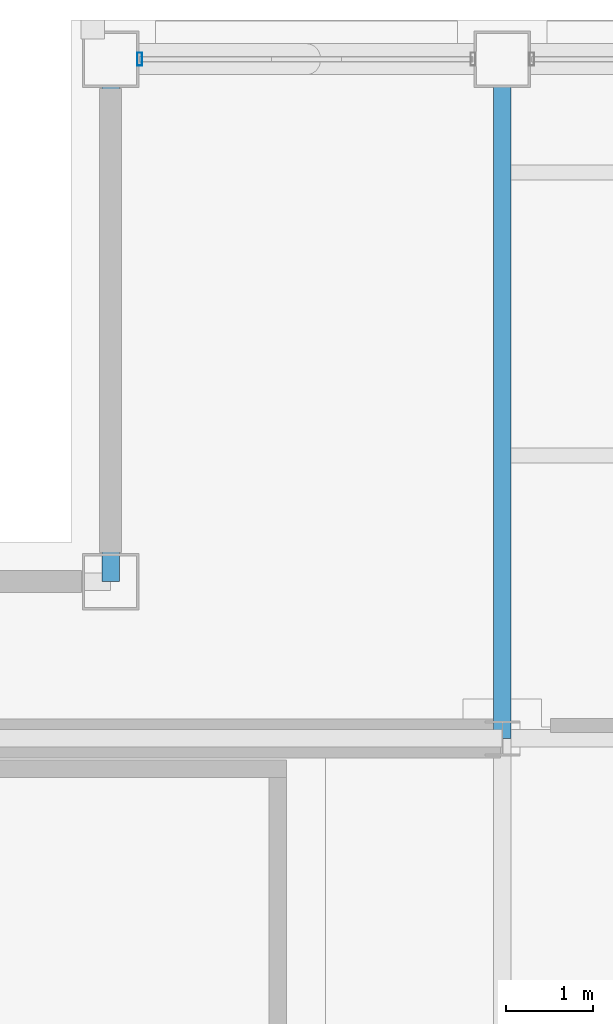
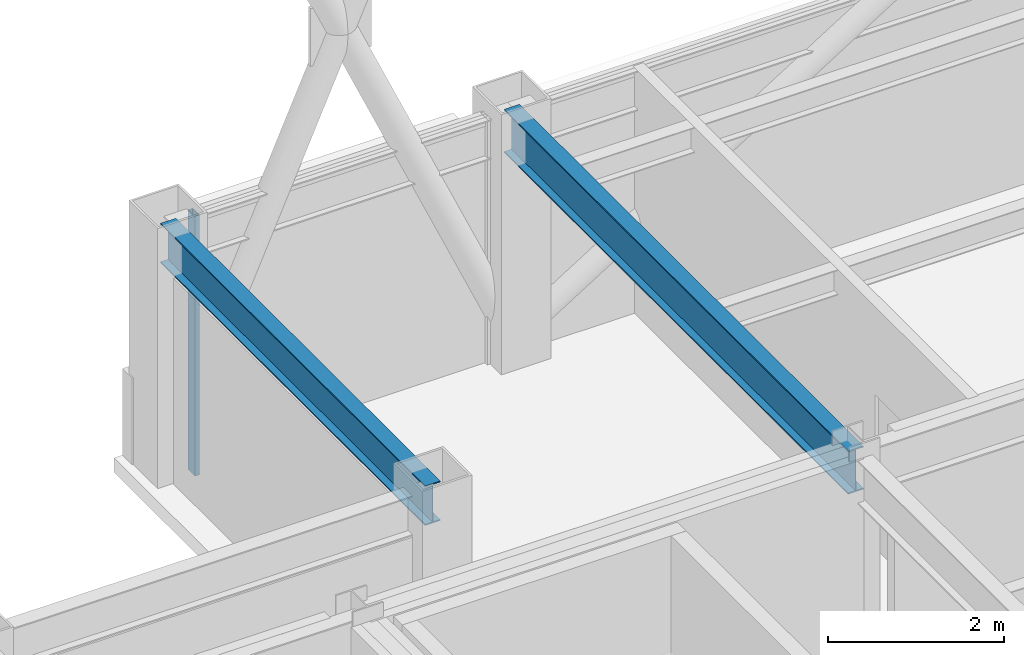
# One storey, part 16 of 26: 2 beams, 1 member, 1 element without a shape of its own.
"""IFC4 building model written with IfcOpenShell, lengths in metres."""

from ifc_helpers import new_model, si_unit, direction, frame, origin, origin_2d, place, context, subcontext, project, spatial, hollow_rectangle, i_section, extrude, material, layer, layer_set, material_profile, profile_set, type_object, element, aggregate, save


model = new_model("IFC4")

# Units and contexts
model_context = context("Model", 3, precision=1e-05, world=origin(), true_north=direction((0.0, 1.0)))
body_context = subcontext(model_context, "Body", "Model", "MODEL_VIEW")
ifc_project = project(units=[si_unit("LENGTHUNIT", "METRE"), si_unit("AREAUNIT", "SQUARE_METRE"), si_unit("VOLUMEUNIT", "CUBIC_METRE"), si_unit("PLANEANGLEUNIT", "RADIAN"), si_unit("MASSUNIT", "GRAM", prefix="KILO")], contexts=[model_context])

# Site, building, storey
site_placement = place(None, origin())
site = spatial("IfcSite", under=ifc_project, at=site_placement, CompositionType="ELEMENT")
building_placement = place(site_placement, origin())
building = spatial("IfcBuilding", under=site, at=building_placement, Name="Brelmoor Portico Tower", CompositionType="ELEMENT")
storey_placement = place(building_placement, frame((0.0, 0.0, 247.199951171875)))
storey = spatial("IfcBuildingStorey", under=building, at=storey_placement, Name="L65", CompositionType="ELEMENT", Elevation=247.199951171875)

# Beams
ifc_material_1 = material(Name="Steel Q355B", Category="steel")
ifc_material_profile_1 = material_profile(ifc_material_1, i_section(OverallWidth=0.199951171875, OverallDepth=0.60009765625, WebThickness=0.010986328125, FlangeThickness=0.01708984375, at=origin_2d()), Name="HN 600x200x11x17")
ifc_profile_set_1 = profile_set([ifc_material_profile_1], Name="Steel Q355B")
beam_type_1 = type_object("IfcBeamType", Name="BM-PG-600", PredefinedType="BEAM", material=ifc_profile_set_1)
beam_1_placement = place(storey_placement, frame((-8.050048828125, 9.75, 3.10009765625), z_axis=(0.0, 1.0, 0.0), x_axis=(-1.0, 0.0, 0.0)))
element("IfcBeam", 1, at=beam_1_placement, inside=storey, type_object=beam_type_1, Name="L65 Primary Floor Girder PG-05", PredefinedType="BEAM", context=body_context, shape_type="SweptSolid", body=[
    extrude(i_section(OverallWidth=0.199951171875, OverallDepth=0.60009765625, WebThickness=0.010986328125, FlangeThickness=0.01708984375, at=origin_2d()), origin(), (0.0, 0.0, 1.0), 7.800048828125),
])
ifc_material_profile_2 = material_profile(ifc_material_1, i_section(OverallWidth=0.199951171875, OverallDepth=0.550048828125, WebThickness=0.010009765625, FlangeThickness=0.01611328125, at=origin_2d()), Name="HN 550x200x10x16")
ifc_profile_set_2 = profile_set([ifc_material_profile_2], Name="Steel Q355B")
beam_type_2 = type_object("IfcBeamType", Name="BM-SP-550", PredefinedType="SPANDREL", material=ifc_profile_set_2)
beam_2_placement = place(storey_placement, frame((-12.550048828125, 11.550048828125, 3.125), z_axis=(0.0, 1.0, 0.0), x_axis=(-1.0, 0.0, 0.0)))
element("IfcBeam", 2, at=beam_2_placement, inside=storey, type_object=beam_type_2, Name="L65 Perimeter Spandrel Beam SP-15", PredefinedType="SPANDREL", context=body_context, shape_type="SweptSolid", body=[
    extrude(i_section(OverallWidth=0.199951171875, OverallDepth=0.550048828125, WebThickness=0.010009765625, FlangeThickness=0.01611328125, at=origin_2d()), origin(), (0.0, 0.0, 1.0), 6.0),
])

# Curtain wall, member
ifc_material_2 = material(Name="Anodised Aluminium Alloy 6063-T6", Category="aluminium")
ifc_layer = layer(ifc_material_2, 0.179931640625)
ifc_layer_set = layer_set([ifc_layer], Name="Anodised Aluminium Alloy 6063-T6")
curtain_wall_type = type_object("IfcCurtainWallType", Name="CW-TOWER-Z4-XB", PredefinedType="NOTDEFINED", material=ifc_layer_set)
curtain_wall_placement = place(storey_placement, origin())
curtain_wall = element("IfcCurtainWall", 3, at=curtain_wall_placement, inside=storey, type_object=curtain_wall_type, Name="L65 Curtain Wall CW-L65-02-1", PredefinedType="NOTDEFINED")
ifc_material_profile_3 = material_profile(ifc_material_2, hollow_rectangle(XDim=0.06005859375, YDim=0.14990234375, WallThickness=0.00390625, at=origin_2d()), Name="ALU MULLION 60x150")
ifc_profile_set_3 = profile_set([ifc_material_profile_3], Name="Anodised Aluminium Alloy 6063-T6")
member_type = type_object("IfcMemberType", Name="MB-CW-MULL-150", PredefinedType="MULLION", material=ifc_profile_set_3)
member_placement = place(storey_placement, frame((-12.215087890625, 17.550048828125, -0.199951171875), z_axis=(0.0, 0.0, 1.0), x_axis=(1.0, 0.0, 0.0)))
member = element("IfcMember", 4, at=member_placement, type_object=member_type, Name="CW-L65-02-1 Mullion 00", PredefinedType="MULLION", context=body_context, shape_type="SweptSolid", body=[
    extrude(hollow_rectangle(XDim=0.06005859375, YDim=0.14990234375, WallThickness=0.00390625, at=origin_2d()), origin(), (0.0, 0.0, 1.0), 3.60009765625),
])
aggregate(curtain_wall, [member])

save(model, "model.ifc")
